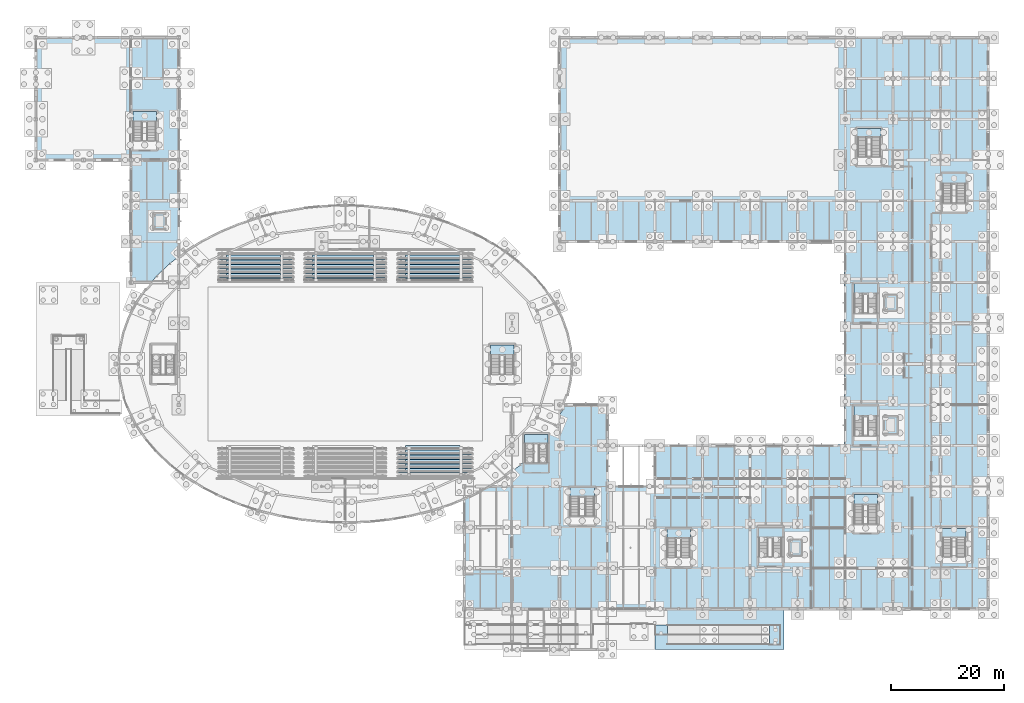
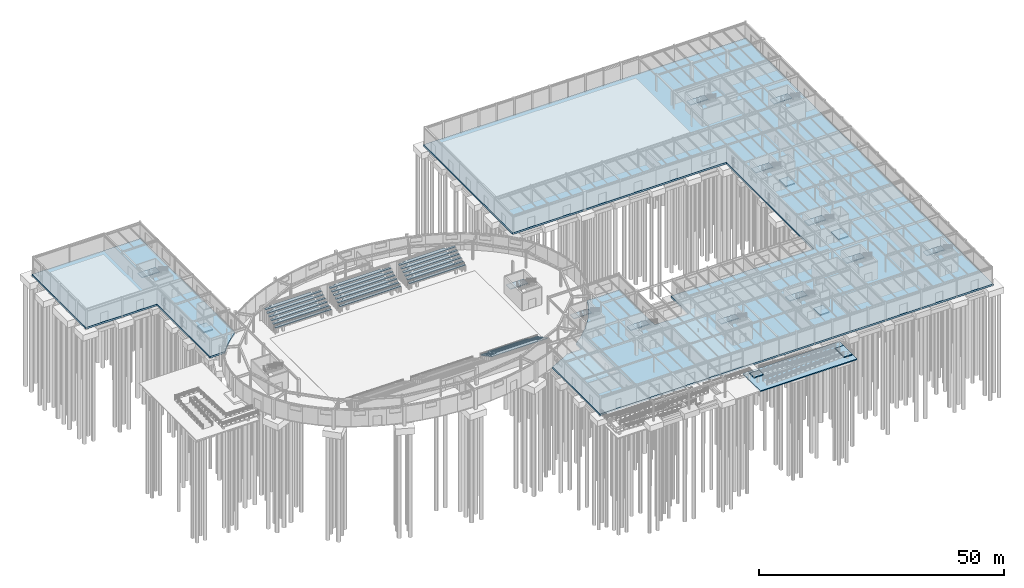
# One storey, part 49 of 93: 45 slabs, 13 elements without a shape of their own.
"""IFC4 building model written with IfcOpenShell, lengths in metres."""

from ifc_helpers import new_model, si_unit, derived_unit, direction, frame, origin, place, context, subcontext, project, spatial, polyline, outline, extrude, material, layer, layer_set, type_object, element, aggregate, save


model = new_model("IFC4")

# Units and contexts
model_context = context("Model", 3, precision=1e-05, world=origin(), true_north=direction((0.0, 1.0)))
body_context = subcontext(model_context, "Body", "Model", "MODEL_VIEW")
ifc_project = project(units=[si_unit("LENGTHUNIT", "METRE"), si_unit("AREAUNIT", "SQUARE_METRE"), si_unit("VOLUMEUNIT", "CUBIC_METRE"), si_unit("PLANEANGLEUNIT", "RADIAN"), si_unit("MASSUNIT", "GRAM", prefix="KILO"), derived_unit("THERMALTRANSMITTANCEUNIT", [(si_unit("MASSUNIT", "GRAM", prefix="KILO"), 1), (si_unit("TIMEUNIT", "SECOND"), -3), (si_unit("THERMODYNAMICTEMPERATUREUNIT", "KELVIN"), -1)])], contexts=[model_context])

# Site, building, storey
site_placement = place(None, origin())
site = spatial("IfcSite", under=ifc_project, at=site_placement, CompositionType="ELEMENT")
building_placement = place(site_placement, origin())
building = spatial("IfcBuilding", under=site, at=building_placement, Name="Kharveza Railside Sports Centre", CompositionType="ELEMENT")
storey_placement = place(building_placement, origin())
storey = spatial("IfcBuildingStorey", under=building, at=storey_placement, Name="L00", CompositionType="ELEMENT", Elevation=0.0)

# Slabs
ifc_material_1 = material(Name="Concrete C35/45", Category="concrete")
ifc_layer_1 = layer(ifc_material_1, 0.260009765625, Name="Concrete C35/45")
ifc_layer_set_1 = layer_set([ifc_layer_1], Name="Concrete C35/45")
slab_type_1 = type_object("IfcSlabType", Name="SL-BS260", PredefinedType="BASESLAB", material=ifc_layer_set_1)
slab_1_placement = place(storey_placement, frame((0.0, 0.0, -2.06005859375)))
element("IfcSlab", 1, at=slab_1_placement, inside=storey, type_object=slab_type_1, Name="SLB-L00-APRONE", PredefinedType="BASESLAB", context=body_context, shape_type="SweptSolid", body=[
    extrude(outline(polyline([(109.199951171875, 0.0), (132.0, 0.0), (132.0, 7.199951171875), (109.199951171875, 7.199951171875), (109.199951171875, 0.0)])), origin(), (0.0, 0.0, 1.0), 0.260009765625),
])
ifc_layer_2 = layer(ifc_material_1, 0.419921875, Name="Concrete C35/45")
ifc_layer_set_2 = layer_set([ifc_layer_2], Name="Concrete C35/45")
slab_type_2 = type_object("IfcSlabType", Name="SL-BS300", PredefinedType="BASESLAB", material=ifc_layer_set_2)
slab_2_placement = place(storey_placement, frame((0.0, 0.0, -0.419921875)))
element("IfcSlab", 2, at=slab_2_placement, inside=storey, type_object=slab_type_2, Name="SLB-L00-WING-01", PredefinedType="BASESLAB", context=body_context, shape_type="SweptSolid", body=[
    extrude(outline(polyline([(83.800048828125, 29.0), (83.800048828125, 31.3056640625), (85.521728515625, 32.635498046875), (85.521728515625, 32.635498046875), (87.860107421875, 34.842529296875), (87.8603515625, 34.8427734375), (89.87841796875, 37.19970703125), (89.87841796875, 37.19970703125), (91.556884765625, 39.683837890625), (91.556884765625, 39.683837890625), (92.87939453125, 42.271240234375), (92.87939453125, 42.271240234375), (93.283447265625, 43.39990234375), (101.0, 43.39990234375), (101.0, 29.0), (109.0, 29.0), (109.0, 36.199951171875), (142.60009765625, 36.199951171875), (142.60009765625, 71.800048828125), (92.199951171875, 71.800048828125), (92.199951171875, 108.199951171875), (168.199951171875, 108.199951171875), (168.199951171875, 7.0), (75.39990234375, 7.0), (75.39990234375, 26.519775390625), (76.823486328125, 27.116943359375), (76.82373046875, 27.1171875), (79.9765625, 28.75390625), (79.976806640625, 28.75390625), (80.364501953125, 29.0), (83.800048828125, 29.0)])), origin(), (0.0, 0.0, 1.0), 0.419921875),
])
slab_3_placement = place(storey_placement, frame((0.0, 0.0, -0.419921875)))
element("IfcSlab", 3, at=slab_3_placement, inside=storey, type_object=slab_type_2, Name="SLB-L00-WING-02", PredefinedType="BASESLAB", context=body_context, shape_type="SweptSolid", body=[
    extrude(outline(polyline([(16.60009765625, 86.199951171875), (-0.199951171875, 86.199951171875), (-0.199951171875, 108.199951171875), (25.39990234375, 108.199951171875), (25.39990234375, 69.494384765625), (23.678466796875, 68.16455078125), (23.67822265625, 68.16455078125), (21.33984375, 65.95751953125), (21.339599609375, 65.957275390625), (20.177490234375, 64.60009765625), (16.60009765625, 64.60009765625), (16.60009765625, 86.199951171875)])), origin(), (0.0, 0.0, 1.0), 0.419921875),
])

# Stair, slab
stair_type_1 = type_object("IfcStairType", Name="ST-A45", PredefinedType="TWO_STRAIGHT_RUN_STAIR", material=ifc_material_1)
stair_1_placement = place(storey_placement, origin())
stair_1 = element("IfcStair", 4, at=stair_1_placement, inside=storey, type_object=stair_type_1, Name="STR-ST1-L00", PredefinedType="TWO_STRAIGHT_RUN_STAIR")
ifc_layer_3 = layer(ifc_material_1, 0.18505859375, Name="Concrete C35/45")
ifc_layer_set_3 = layer_set([ifc_layer_3], Name="Concrete C35/45")
slab_type_3 = type_object("IfcSlabType", Name="SL-LD185", PredefinedType="LANDING", material=ifc_layer_set_3)
slab_4_placement = place(storey_placement, frame((0.0, 0.0, 2.06494140625)))
slab_4 = element("IfcSlab", 5, at=slab_4_placement, type_object=slab_type_3, Name="STR-ST1-L00-HLND", PredefinedType="LANDING", context=body_context, shape_type="SweptSolid", body=[
    extrude(outline(polyline([(144.304931640625, 41.159912109375), (148.4951171875, 41.159912109375), (148.4951171875, 42.9951171875), (144.304931640625, 42.9951171875), (144.304931640625, 41.159912109375)])), origin(), (0.0, 0.0, 1.0), 0.18505859375),
])
aggregate(stair_1, [slab_4])

stair_2_placement = place(storey_placement, origin())
stair_2 = element("IfcStair", 6, at=stair_2_placement, inside=storey, type_object=stair_type_1, Name="STR-ST2-L00", PredefinedType="TWO_STRAIGHT_RUN_STAIR")
slab_5_placement = place(storey_placement, frame((0.0, 0.0, 2.06494140625)))
slab_5 = element("IfcSlab", 7, at=slab_5_placement, type_object=slab_type_3, Name="STR-ST2-L00-HLND", PredefinedType="LANDING", context=body_context, shape_type="SweptSolid", body=[
    extrude(outline(polyline([(144.304931640625, 62.760009765625), (148.4951171875, 62.760009765625), (148.4951171875, 64.594970703125), (144.304931640625, 64.594970703125), (144.304931640625, 62.760009765625)])), origin(), (0.0, 0.0, 1.0), 0.18505859375),
])
aggregate(stair_2, [slab_5])

stair_3_placement = place(storey_placement, origin())
stair_3 = element("IfcStair", 8, at=stair_3_placement, inside=storey, type_object=stair_type_1, Name="STR-ST3-L00", PredefinedType="TWO_STRAIGHT_RUN_STAIR")
slab_6_placement = place(storey_placement, frame((0.0, 0.0, 2.06494140625)))
slab_6 = element("IfcSlab", 9, at=slab_6_placement, type_object=slab_type_3, Name="STR-ST3-L00-HLND", PredefinedType="LANDING", context=body_context, shape_type="SweptSolid", body=[
    extrude(outline(polyline([(127.5048828125, 19.760009765625), (131.695068359375, 19.760009765625), (131.695068359375, 21.594970703125), (127.5048828125, 21.594970703125), (127.5048828125, 19.760009765625)])), origin(), (0.0, 0.0, 1.0), 0.18505859375),
])
aggregate(stair_3, [slab_6])

stair_4_placement = place(storey_placement, origin())
stair_4 = element("IfcStair", 10, at=stair_4_placement, inside=storey, type_object=stair_type_1, Name="STR-ST4-L00", PredefinedType="TWO_STRAIGHT_RUN_STAIR")
slab_7_placement = place(storey_placement, frame((0.0, 0.0, 2.06494140625)))
slab_7 = element("IfcSlab", 11, at=slab_7_placement, type_object=slab_type_3, Name="STR-ST4-L00-HLND", PredefinedType="LANDING", context=body_context, shape_type="SweptSolid", body=[
    extrude(outline(polyline([(159.905029296875, 82.159912109375), (164.094970703125, 82.159912109375), (164.094970703125, 83.9951171875), (159.905029296875, 83.9951171875), (159.905029296875, 82.159912109375)])), origin(), (0.0, 0.0, 1.0), 0.18505859375),
])
aggregate(stair_4, [slab_7])

stair_5_placement = place(storey_placement, origin())
stair_5 = element("IfcStair", 12, at=stair_5_placement, inside=storey, type_object=stair_type_1, Name="STR-ST5-L00", PredefinedType="TWO_STRAIGHT_RUN_STAIR")
slab_8_placement = place(storey_placement, frame((0.0, 0.0, 2.06494140625)))
slab_8 = element("IfcSlab", 13, at=slab_8_placement, type_object=slab_type_3, Name="STR-ST5-L00-HLND", PredefinedType="LANDING", context=body_context, shape_type="SweptSolid", body=[
    extrude(outline(polyline([(144.304931640625, 25.56005859375), (148.4951171875, 25.56005859375), (148.4951171875, 27.39501953125), (144.304931640625, 27.39501953125), (144.304931640625, 25.56005859375)])), origin(), (0.0, 0.0, 1.0), 0.18505859375),
])
aggregate(stair_5, [slab_8])

stair_6_placement = place(storey_placement, origin())
stair_6 = element("IfcStair", 14, at=stair_6_placement, inside=storey, type_object=stair_type_1, Name="STR-ST6-L00", PredefinedType="TWO_STRAIGHT_RUN_STAIR")
slab_9_placement = place(storey_placement, frame((0.0, 0.0, 2.06494140625)))
slab_9 = element("IfcSlab", 15, at=slab_9_placement, type_object=slab_type_3, Name="STR-ST6-L00-HLND", PredefinedType="LANDING", context=body_context, shape_type="SweptSolid", body=[
    extrude(outline(polyline([(17.10498046875, 93.159912109375), (21.294921875, 93.159912109375), (21.294921875, 94.9951171875), (17.10498046875, 94.9951171875), (17.10498046875, 93.159912109375)])), origin(), (0.0, 0.0, 1.0), 0.18505859375),
])
aggregate(stair_6, [slab_9])

stair_7_placement = place(storey_placement, origin())
stair_7 = element("IfcStair", 16, at=stair_7_placement, inside=storey, type_object=stair_type_1, Name="STR-ST8-L00", PredefinedType="TWO_STRAIGHT_RUN_STAIR")
slab_10_placement = place(storey_placement, frame((0.0, 0.0, 2.06494140625)))
slab_10 = element("IfcSlab", 17, at=slab_10_placement, type_object=slab_type_3, Name="STR-ST8-L00-HLND", PredefinedType="LANDING", context=body_context, shape_type="SweptSolid", body=[
    extrude(outline(polyline([(80.205078125, 51.9599609375), (84.39501953125, 51.9599609375), (84.39501953125, 53.794921875), (80.205078125, 53.794921875), (80.205078125, 51.9599609375)])), origin(), (0.0, 0.0, 1.0), 0.18505859375),
])
aggregate(stair_7, [slab_10])

stair_8_placement = place(storey_placement, origin())
stair_8 = element("IfcStair", 18, at=stair_8_placement, inside=storey, type_object=stair_type_1, Name="STR-ST9-L00", PredefinedType="TWO_STRAIGHT_RUN_STAIR")
slab_11_placement = place(storey_placement, frame((0.0, 0.0, 2.06494140625)))
slab_11 = element("IfcSlab", 19, at=slab_11_placement, type_object=slab_type_3, Name="STR-ST9-L00-HLND", PredefinedType="LANDING", context=body_context, shape_type="SweptSolid", body=[
    extrude(outline(polyline([(86.205078125, 36.360107421875), (90.39501953125, 36.360107421875), (90.39501953125, 37.9951171875), (86.205078125, 37.9951171875), (86.205078125, 36.360107421875)])), origin(), (0.0, 0.0, 1.0), 0.18505859375),
])
aggregate(stair_8, [slab_11])

ifc_material_2 = material(Name="Steel S355J2", Category="steel")
stair_type_2 = type_object("IfcStairType", Name="ST-C45", PredefinedType="TWO_STRAIGHT_RUN_STAIR", material=ifc_material_2)
stair_9_placement = place(storey_placement, origin())
stair_9 = element("IfcStair", 20, at=stair_9_placement, inside=storey, type_object=stair_type_2, Name="STR-ST10-L00", PredefinedType="TWO_STRAIGHT_RUN_STAIR")
slab_12_placement = place(storey_placement, frame((0.0, 0.0, 2.06494140625)))
slab_12 = element("IfcSlab", 21, at=slab_12_placement, type_object=slab_type_3, Name="STR-ST10-L00-HLND", PredefinedType="LANDING", context=body_context, shape_type="SweptSolid", body=[
    extrude(outline(polyline([(94.205078125, 26.9599609375), (98.594970703125, 26.9599609375), (98.594970703125, 28.594970703125), (94.205078125, 28.594970703125), (94.205078125, 26.9599609375)])), origin(), (0.0, 0.0, 1.0), 0.18505859375),
])
aggregate(stair_9, [slab_12])

stair_10_placement = place(storey_placement, origin())
stair_10 = element("IfcStair", 22, at=stair_10_placement, inside=storey, type_object=stair_type_1, Name="STR-ST11-L00", PredefinedType="TWO_STRAIGHT_RUN_STAIR")
slab_13_placement = place(storey_placement, frame((0.0, 0.0, 2.06494140625)))
slab_13 = element("IfcSlab", 23, at=slab_13_placement, type_object=slab_type_3, Name="STR-ST11-L00-HLND", PredefinedType="LANDING", context=body_context, shape_type="SweptSolid", body=[
    extrude(outline(polyline([(159.905029296875, 19.760009765625), (164.094970703125, 19.760009765625), (164.094970703125, 21.39501953125), (159.905029296875, 21.39501953125), (159.905029296875, 19.760009765625)])), origin(), (0.0, 0.0, 1.0), 0.18505859375),
])
aggregate(stair_10, [slab_13])

stair_11_placement = place(storey_placement, origin())
stair_11 = element("IfcStair", 24, at=stair_11_placement, inside=storey, type_object=stair_type_1, Name="STR-ST12-L00", PredefinedType="TWO_STRAIGHT_RUN_STAIR")
slab_14_placement = place(storey_placement, frame((0.0, 0.0, 2.06494140625)))
slab_14 = element("IfcSlab", 25, at=slab_14_placement, type_object=slab_type_3, Name="STR-ST12-L00-HLND", PredefinedType="LANDING", context=body_context, shape_type="SweptSolid", body=[
    extrude(outline(polyline([(111.304931640625, 19.659912109375), (115.4951171875, 19.659912109375), (115.4951171875, 21.294921875), (111.304931640625, 21.294921875), (111.304931640625, 19.659912109375)])), origin(), (0.0, 0.0, 1.0), 0.18505859375),
])
aggregate(stair_11, [slab_14])

stair_12_placement = place(storey_placement, origin())
stair_12 = element("IfcStair", 26, at=stair_12_placement, inside=storey, type_object=stair_type_1, Name="STR-ST13-L00", PredefinedType="TWO_STRAIGHT_RUN_STAIR")
slab_15_placement = place(storey_placement, frame((0.0, 0.0, 2.06494140625)))
slab_15 = element("IfcSlab", 27, at=slab_15_placement, type_object=slab_type_3, Name="STR-ST13-L00-HLND", PredefinedType="LANDING", context=body_context, shape_type="SweptSolid", body=[
    extrude(outline(polyline([(144.905029296875, 90.360107421875), (149.094970703125, 90.360107421875), (149.094970703125, 91.9951171875), (144.905029296875, 91.9951171875), (144.905029296875, 90.360107421875)])), origin(), (0.0, 0.0, 1.0), 0.18505859375),
])
aggregate(stair_12, [slab_15])

# Ramp, slabs
ramp_type = type_object("IfcRampType", Name="RM-AP01", PredefinedType="TWO_STRAIGHT_RUN_RAMP", material=ifc_material_1)
ramp_placement = place(storey_placement, origin())
ramp = element("IfcRamp", 28, at=ramp_placement, inside=storey, type_object=ramp_type, Name="RMP-EXT-E", PredefinedType="TWO_STRAIGHT_RUN_RAMP")
ifc_layer_4 = layer(ifc_material_1, 0.2099609375, Name="Concrete C35/45")
ifc_layer_set_4 = layer_set([ifc_layer_4], Name="Concrete C35/45")
slab_type_4 = type_object("IfcSlabType", Name="SL-LD210", PredefinedType="LANDING", material=ifc_layer_set_4)
slab_16_placement = place(storey_placement, frame((0.0, 0.0, -1.110107421875)))
slab_16 = element("IfcSlab", 29, at=slab_16_placement, type_object=slab_type_4, Name="RMP-EXT-E-LND1", PredefinedType="LANDING", context=body_context, shape_type="SweptSolid", body=[
    extrude(outline(polyline([(129.39990234375, 0.800048828125), (131.39990234375, 0.800048828125), (131.39990234375, 4.39990234375), (129.39990234375, 4.39990234375), (129.39990234375, 0.800048828125)])), origin(), (0.0, 0.0, 1.0), 0.210205078125),
])
slab_17_placement = place(storey_placement, frame((0.0, 0.0, -0.2099609375)))
slab_17 = element("IfcSlab", 30, at=slab_17_placement, type_object=slab_type_4, Name="RMP-EXT-E-LND2", PredefinedType="LANDING", context=body_context, shape_type="SweptSolid", body=[
    extrude(outline(polyline([(109.199951171875, 2.580078125), (111.39990234375, 2.580078125), (111.39990234375, 4.39990234375), (109.199951171875, 4.39990234375), (109.199951171875, 2.580078125)])), origin(), (0.0, 0.0, 1.0), 0.2099609375),
])
aggregate(ramp, [slab_16, slab_17])

# Slabs
ifc_layer_5 = layer(ifc_material_1, 0.300048828125, Name="Concrete C35/45")
ifc_layer_set_5 = layer_set([ifc_layer_5], Name="Concrete C35/45")
slab_type_5 = type_object("IfcSlabType", Name="SL-LP300", PredefinedType="BASESLAB", material=ifc_layer_set_5)
slab_18_placement = place(storey_placement, frame((0.0, 0.0, -1.5)))
element("IfcSlab", 31, at=slab_18_placement, inside=storey, type_object=slab_type_5, Name="SLB-LFPIT-LF1", PredefinedType="BASESLAB", context=body_context, shape_type="SweptSolid", body=[
    extrude(outline(polyline([(149.625, 38.02490234375), (151.97509765625, 38.02490234375), (151.97509765625, 41.175048828125), (149.625, 41.175048828125), (149.625, 38.02490234375)])), origin(), (0.0, 0.0, 1.0), 0.300048828125),
])
slab_19_placement = place(storey_placement, frame((0.0, 0.0, -1.5)))
element("IfcSlab", 32, at=slab_19_placement, inside=storey, type_object=slab_type_5, Name="SLB-LFPIT-LF2", PredefinedType="BASESLAB", context=body_context, shape_type="SweptSolid", body=[
    extrude(outline(polyline([(149.72509765625, 59.824951171875), (151.875, 59.824951171875), (151.875, 62.574951171875), (149.72509765625, 62.574951171875), (149.72509765625, 59.824951171875)])), origin(), (0.0, 0.0, 1.0), 0.300048828125),
])
slab_20_placement = place(storey_placement, frame((0.0, 0.0, -1.5)))
element("IfcSlab", 33, at=slab_20_placement, inside=storey, type_object=slab_type_5, Name="SLB-LFPIT-LF3", PredefinedType="BASESLAB", context=body_context, shape_type="SweptSolid", body=[
    extrude(outline(polyline([(132.925048828125, 16.625), (135.074951171875, 16.625), (135.074951171875, 19.375), (132.925048828125, 19.375), (132.925048828125, 16.625)])), origin(), (0.0, 0.0, 1.0), 0.300048828125),
])
slab_21_placement = place(storey_placement, frame((0.0, 0.0, -1.5)))
element("IfcSlab", 34, at=slab_21_placement, inside=storey, type_object=slab_type_5, Name="SLB-LFPIT-LF4", PredefinedType="BASESLAB", context=body_context, shape_type="SweptSolid", body=[
    extrude(outline(polyline([(20.72509765625, 74.22509765625), (22.875, 74.22509765625), (22.875, 76.97509765625), (20.72509765625, 76.97509765625), (20.72509765625, 74.22509765625)])), origin(), (0.0, 0.0, 1.0), 0.300048828125),
])
ifc_material_3 = material(Name="Precast concrete C40/50", Category="concrete")
ifc_layer_6 = layer(ifc_material_3, 0.14990234375, Name="Precast concrete C40/50")
ifc_layer_set_6 = layer_set([ifc_layer_6], Name="Precast concrete C40/50")
slab_type_6 = type_object("IfcSlabType", Name="SL-ST150", PredefinedType="USERDEFINED", material=ifc_layer_set_6)
slab_22_placement = place(storey_placement, frame((0.0, 0.0, 3.570068359375)))
element("IfcSlab", 35, at=slab_22_placement, inside=storey, type_object=slab_type_6, Name="Spectator Seating Tier S2-S3", ObjectType="SEATING_TIER", PredefinedType="USERDEFINED", context=body_context, shape_type="SweptSolid", body=[
    extrude(outline(polyline([(63.800048828125, 31.199951171875), (77.0, 31.199951171875), (77.0, 31.659912109375), (74.800048828125, 31.659912109375), (74.800048828125, 32.0), (65.199951171875, 32.0), (65.199951171875, 31.719970703125), (63.800048828125, 31.719970703125), (63.800048828125, 31.199951171875)])), origin(), (0.0, 0.0, 1.0), 0.14990234375),
])
slab_23_placement = place(storey_placement, frame((0.0, 0.0, 3.14990234375)))
element("IfcSlab", 36, at=slab_23_placement, inside=storey, type_object=slab_type_6, Name="Spectator Seating Tier S3-S3", ObjectType="SEATING_TIER", PredefinedType="USERDEFINED", context=body_context, shape_type="SweptSolid", body=[
    extrude(outline(polyline([(63.800048828125, 32.0), (77.0, 32.0), (77.0, 32.4599609375), (74.800048828125, 32.4599609375), (74.800048828125, 32.800048828125), (65.199951171875, 32.800048828125), (65.199951171875, 32.52001953125), (63.800048828125, 32.52001953125), (63.800048828125, 32.0)])), origin(), (0.0, 0.0, 1.0), 0.150146484375),
])
slab_24_placement = place(storey_placement, frame((0.0, 0.0, 2.72998046875)))
element("IfcSlab", 37, at=slab_24_placement, inside=storey, type_object=slab_type_6, Name="Spectator Seating Tier S4-S3", ObjectType="SEATING_TIER", PredefinedType="USERDEFINED", context=body_context, shape_type="SweptSolid", body=[
    extrude(outline(polyline([(63.800048828125, 32.800048828125), (77.0, 32.800048828125), (77.0, 33.260009765625), (74.800048828125, 33.260009765625), (74.800048828125, 33.60009765625), (65.199951171875, 33.60009765625), (65.199951171875, 33.320068359375), (63.800048828125, 33.320068359375), (63.800048828125, 32.800048828125)])), origin(), (0.0, 0.0, 1.0), 0.14990234375),
])
slab_25_placement = place(storey_placement, frame((0.0, 0.0, 3.570068359375)))
element("IfcSlab", 38, at=slab_25_placement, inside=storey, type_object=slab_type_6, Name="Spectator Seating Tier N2-S1", ObjectType="SEATING_TIER", PredefinedType="USERDEFINED", context=body_context, shape_type="SweptSolid", body=[
    extrude(outline(polyline([(32.199951171875, 68.800048828125), (45.39990234375, 68.800048828125), (45.39990234375, 69.260009765625), (43.199951171875, 69.260009765625), (43.199951171875, 69.60009765625), (33.60009765625, 69.60009765625), (33.60009765625, 69.320068359375), (32.199951171875, 69.320068359375), (32.199951171875, 68.800048828125)])), origin(), (0.0, 0.0, 1.0), 0.14990234375),
])
slab_26_placement = place(storey_placement, frame((0.0, 0.0, 3.570068359375)))
element("IfcSlab", 39, at=slab_26_placement, inside=storey, type_object=slab_type_6, Name="Spectator Seating Tier N2-S2", ObjectType="SEATING_TIER", PredefinedType="USERDEFINED", context=body_context, shape_type="SweptSolid", body=[
    extrude(outline(polyline([(47.39990234375, 68.800048828125), (61.800048828125, 68.800048828125), (61.800048828125, 69.260009765625), (59.60009765625, 69.260009765625), (59.60009765625, 69.60009765625), (48.800048828125, 69.60009765625), (48.800048828125, 69.320068359375), (47.39990234375, 69.320068359375), (47.39990234375, 68.800048828125)])), origin(), (0.0, 0.0, 1.0), 0.14990234375),
])
slab_27_placement = place(storey_placement, frame((0.0, 0.0, 3.570068359375)))
element("IfcSlab", 40, at=slab_27_placement, inside=storey, type_object=slab_type_6, Name="Spectator Seating Tier N2-S3", ObjectType="SEATING_TIER", PredefinedType="USERDEFINED", context=body_context, shape_type="SweptSolid", body=[
    extrude(outline(polyline([(63.800048828125, 68.800048828125), (77.0, 68.800048828125), (77.0, 69.260009765625), (74.800048828125, 69.260009765625), (74.800048828125, 69.60009765625), (65.199951171875, 69.60009765625), (65.199951171875, 69.320068359375), (63.800048828125, 69.320068359375), (63.800048828125, 68.800048828125)])), origin(), (0.0, 0.0, 1.0), 0.14990234375),
])
slab_28_placement = place(storey_placement, frame((0.0, 0.0, 3.14990234375)))
element("IfcSlab", 41, at=slab_28_placement, inside=storey, type_object=slab_type_6, Name="Spectator Seating Tier N3-S1", ObjectType="SEATING_TIER", PredefinedType="USERDEFINED", context=body_context, shape_type="SweptSolid", body=[
    extrude(outline(polyline([(32.199951171875, 68.0), (45.39990234375, 68.0), (45.39990234375, 68.4599609375), (43.199951171875, 68.4599609375), (43.199951171875, 68.800048828125), (33.60009765625, 68.800048828125), (33.60009765625, 68.52001953125), (32.199951171875, 68.52001953125), (32.199951171875, 68.0)])), origin(), (0.0, 0.0, 1.0), 0.150146484375),
])
slab_29_placement = place(storey_placement, frame((0.0, 0.0, 3.14990234375)))
element("IfcSlab", 42, at=slab_29_placement, inside=storey, type_object=slab_type_6, Name="Spectator Seating Tier N3-S2", ObjectType="SEATING_TIER", PredefinedType="USERDEFINED", context=body_context, shape_type="SweptSolid", body=[
    extrude(outline(polyline([(47.39990234375, 68.0), (61.800048828125, 68.0), (61.800048828125, 68.4599609375), (59.60009765625, 68.4599609375), (59.60009765625, 68.800048828125), (48.800048828125, 68.800048828125), (48.800048828125, 68.52001953125), (47.39990234375, 68.52001953125), (47.39990234375, 68.0)])), origin(), (0.0, 0.0, 1.0), 0.150146484375),
])
slab_30_placement = place(storey_placement, frame((0.0, 0.0, 3.14990234375)))
element("IfcSlab", 43, at=slab_30_placement, inside=storey, type_object=slab_type_6, Name="Spectator Seating Tier N3-S3", ObjectType="SEATING_TIER", PredefinedType="USERDEFINED", context=body_context, shape_type="SweptSolid", body=[
    extrude(outline(polyline([(63.800048828125, 68.0), (77.0, 68.0), (77.0, 68.4599609375), (74.800048828125, 68.4599609375), (74.800048828125, 68.800048828125), (65.199951171875, 68.800048828125), (65.199951171875, 68.52001953125), (63.800048828125, 68.52001953125), (63.800048828125, 68.0)])), origin(), (0.0, 0.0, 1.0), 0.150146484375),
])
slab_31_placement = place(storey_placement, frame((0.0, 0.0, 2.72998046875)))
element("IfcSlab", 44, at=slab_31_placement, inside=storey, type_object=slab_type_6, Name="Spectator Seating Tier N4-S1", ObjectType="SEATING_TIER", PredefinedType="USERDEFINED", context=body_context, shape_type="SweptSolid", body=[
    extrude(outline(polyline([(32.199951171875, 67.199951171875), (45.39990234375, 67.199951171875), (45.39990234375, 67.659912109375), (43.199951171875, 67.659912109375), (43.199951171875, 68.0), (33.60009765625, 68.0), (33.60009765625, 67.719970703125), (32.199951171875, 67.719970703125), (32.199951171875, 67.199951171875)])), origin(), (0.0, 0.0, 1.0), 0.14990234375),
])
slab_32_placement = place(storey_placement, frame((0.0, 0.0, 2.72998046875)))
element("IfcSlab", 45, at=slab_32_placement, inside=storey, type_object=slab_type_6, Name="Spectator Seating Tier N4-S2", ObjectType="SEATING_TIER", PredefinedType="USERDEFINED", context=body_context, shape_type="SweptSolid", body=[
    extrude(outline(polyline([(47.39990234375, 67.199951171875), (61.800048828125, 67.199951171875), (61.800048828125, 67.659912109375), (59.60009765625, 67.659912109375), (59.60009765625, 68.0), (48.800048828125, 68.0), (48.800048828125, 67.719970703125), (47.39990234375, 67.719970703125), (47.39990234375, 67.199951171875)])), origin(), (0.0, 0.0, 1.0), 0.14990234375),
])
slab_33_placement = place(storey_placement, frame((0.0, 0.0, 2.72998046875)))
element("IfcSlab", 46, at=slab_33_placement, inside=storey, type_object=slab_type_6, Name="Spectator Seating Tier N4-S3", ObjectType="SEATING_TIER", PredefinedType="USERDEFINED", context=body_context, shape_type="SweptSolid", body=[
    extrude(outline(polyline([(63.800048828125, 67.199951171875), (77.0, 67.199951171875), (77.0, 67.659912109375), (74.800048828125, 67.659912109375), (74.800048828125, 68.0), (65.199951171875, 68.0), (65.199951171875, 67.719970703125), (63.800048828125, 67.719970703125), (63.800048828125, 67.199951171875)])), origin(), (0.0, 0.0, 1.0), 0.14990234375),
])
ifc_layer_7 = layer(ifc_material_3, 0.16796875, Name="Precast concrete C40/50")
ifc_layer_set_7 = layer_set([ifc_layer_7], Name="Precast concrete C40/50")
slab_type_7 = type_object("IfcSlabType", Name="SL-ST175", PredefinedType="USERDEFINED", material=ifc_layer_set_7)
slab_34_placement = place(storey_placement, frame((0.0, 0.0, 2.2919921875)))
element("IfcSlab", 47, at=slab_34_placement, inside=storey, type_object=slab_type_7, Name="Spectator Seating Tier S5-S3", ObjectType="SEATING_TIER", PredefinedType="USERDEFINED", context=body_context, shape_type="SweptSolid", body=[
    extrude(outline(polyline([(63.800048828125, 33.60009765625), (77.0, 33.60009765625), (77.0, 34.06005859375), (74.800048828125, 34.06005859375), (74.800048828125, 34.39990234375), (65.199951171875, 34.39990234375), (65.199951171875, 34.1201171875), (63.800048828125, 34.1201171875), (63.800048828125, 33.60009765625)])), origin(), (0.0, 0.0, 1.0), 0.16796875),
])
slab_35_placement = place(storey_placement, frame((0.0, 0.0, 1.8720703125)))
element("IfcSlab", 48, at=slab_35_placement, inside=storey, type_object=slab_type_7, Name="Spectator Seating Tier S6-S3", ObjectType="SEATING_TIER", PredefinedType="USERDEFINED", context=body_context, shape_type="SweptSolid", body=[
    extrude(outline(polyline([(63.800048828125, 34.39990234375), (77.0, 34.39990234375), (77.0, 34.860107421875), (74.800048828125, 34.860107421875), (74.800048828125, 35.199951171875), (65.199951171875, 35.199951171875), (65.199951171875, 34.919921875), (63.800048828125, 34.919921875), (63.800048828125, 34.39990234375)])), origin(), (0.0, 0.0, 1.0), 0.16796875),
])
slab_36_placement = place(storey_placement, frame((0.0, 0.0, 1.451904296875)))
element("IfcSlab", 49, at=slab_36_placement, inside=storey, type_object=slab_type_7, Name="Spectator Seating Tier S7-S3", ObjectType="SEATING_TIER", PredefinedType="USERDEFINED", context=body_context, shape_type="SweptSolid", body=[
    extrude(outline(polyline([(63.800048828125, 35.199951171875), (77.0, 35.199951171875), (77.0, 35.659912109375), (74.800048828125, 35.659912109375), (74.800048828125, 36.0), (65.199951171875, 36.0), (65.199951171875, 35.719970703125), (63.800048828125, 35.719970703125), (63.800048828125, 35.199951171875)])), origin(), (0.0, 0.0, 1.0), 0.168212890625),
])
slab_37_placement = place(storey_placement, frame((0.0, 0.0, 2.2919921875)))
element("IfcSlab", 50, at=slab_37_placement, inside=storey, type_object=slab_type_7, Name="Spectator Seating Tier N5-S1", ObjectType="SEATING_TIER", PredefinedType="USERDEFINED", context=body_context, shape_type="SweptSolid", body=[
    extrude(outline(polyline([(32.199951171875, 66.39990234375), (45.39990234375, 66.39990234375), (45.39990234375, 66.860107421875), (43.199951171875, 66.860107421875), (43.199951171875, 67.199951171875), (33.60009765625, 67.199951171875), (33.60009765625, 66.919921875), (32.199951171875, 66.919921875), (32.199951171875, 66.39990234375)])), origin(), (0.0, 0.0, 1.0), 0.16796875),
])
slab_38_placement = place(storey_placement, frame((0.0, 0.0, 2.2919921875)))
element("IfcSlab", 51, at=slab_38_placement, inside=storey, type_object=slab_type_7, Name="Spectator Seating Tier N5-S2", ObjectType="SEATING_TIER", PredefinedType="USERDEFINED", context=body_context, shape_type="SweptSolid", body=[
    extrude(outline(polyline([(47.39990234375, 66.39990234375), (61.800048828125, 66.39990234375), (61.800048828125, 66.860107421875), (59.60009765625, 66.860107421875), (59.60009765625, 67.199951171875), (48.800048828125, 67.199951171875), (48.800048828125, 66.919921875), (47.39990234375, 66.919921875), (47.39990234375, 66.39990234375)])), origin(), (0.0, 0.0, 1.0), 0.16796875),
])
slab_39_placement = place(storey_placement, frame((0.0, 0.0, 2.2919921875)))
element("IfcSlab", 52, at=slab_39_placement, inside=storey, type_object=slab_type_7, Name="Spectator Seating Tier N5-S3", ObjectType="SEATING_TIER", PredefinedType="USERDEFINED", context=body_context, shape_type="SweptSolid", body=[
    extrude(outline(polyline([(63.800048828125, 66.39990234375), (77.0, 66.39990234375), (77.0, 66.860107421875), (74.800048828125, 66.860107421875), (74.800048828125, 67.199951171875), (65.199951171875, 67.199951171875), (65.199951171875, 66.919921875), (63.800048828125, 66.919921875), (63.800048828125, 66.39990234375)])), origin(), (0.0, 0.0, 1.0), 0.16796875),
])
slab_40_placement = place(storey_placement, frame((0.0, 0.0, 1.8720703125)))
element("IfcSlab", 53, at=slab_40_placement, inside=storey, type_object=slab_type_7, Name="Spectator Seating Tier N6-S1", ObjectType="SEATING_TIER", PredefinedType="USERDEFINED", context=body_context, shape_type="SweptSolid", body=[
    extrude(outline(polyline([(32.199951171875, 65.60009765625), (45.39990234375, 65.60009765625), (45.39990234375, 66.06005859375), (43.199951171875, 66.06005859375), (43.199951171875, 66.39990234375), (33.60009765625, 66.39990234375), (33.60009765625, 66.1201171875), (32.199951171875, 66.1201171875), (32.199951171875, 65.60009765625)])), origin(), (0.0, 0.0, 1.0), 0.16796875),
])
slab_41_placement = place(storey_placement, frame((0.0, 0.0, 1.8720703125)))
element("IfcSlab", 54, at=slab_41_placement, inside=storey, type_object=slab_type_7, Name="Spectator Seating Tier N6-S2", ObjectType="SEATING_TIER", PredefinedType="USERDEFINED", context=body_context, shape_type="SweptSolid", body=[
    extrude(outline(polyline([(47.39990234375, 65.60009765625), (61.800048828125, 65.60009765625), (61.800048828125, 66.06005859375), (59.60009765625, 66.06005859375), (59.60009765625, 66.39990234375), (48.800048828125, 66.39990234375), (48.800048828125, 66.1201171875), (47.39990234375, 66.1201171875), (47.39990234375, 65.60009765625)])), origin(), (0.0, 0.0, 1.0), 0.16796875),
])
slab_42_placement = place(storey_placement, frame((0.0, 0.0, 1.8720703125)))
element("IfcSlab", 55, at=slab_42_placement, inside=storey, type_object=slab_type_7, Name="Spectator Seating Tier N6-S3", ObjectType="SEATING_TIER", PredefinedType="USERDEFINED", context=body_context, shape_type="SweptSolid", body=[
    extrude(outline(polyline([(63.800048828125, 65.60009765625), (77.0, 65.60009765625), (77.0, 66.06005859375), (74.800048828125, 66.06005859375), (74.800048828125, 66.39990234375), (65.199951171875, 66.39990234375), (65.199951171875, 66.1201171875), (63.800048828125, 66.1201171875), (63.800048828125, 65.60009765625)])), origin(), (0.0, 0.0, 1.0), 0.16796875),
])
slab_43_placement = place(storey_placement, frame((0.0, 0.0, 1.451904296875)))
element("IfcSlab", 56, at=slab_43_placement, inside=storey, type_object=slab_type_7, Name="Spectator Seating Tier N7-S1", ObjectType="SEATING_TIER", PredefinedType="USERDEFINED", context=body_context, shape_type="SweptSolid", body=[
    extrude(outline(polyline([(32.199951171875, 64.800048828125), (45.39990234375, 64.800048828125), (45.39990234375, 65.260009765625), (43.199951171875, 65.260009765625), (43.199951171875, 65.60009765625), (33.60009765625, 65.60009765625), (33.60009765625, 65.320068359375), (32.199951171875, 65.320068359375), (32.199951171875, 64.800048828125)])), origin(), (0.0, 0.0, 1.0), 0.168212890625),
])
slab_44_placement = place(storey_placement, frame((0.0, 0.0, 1.451904296875)))
element("IfcSlab", 57, at=slab_44_placement, inside=storey, type_object=slab_type_7, Name="Spectator Seating Tier N7-S2", ObjectType="SEATING_TIER", PredefinedType="USERDEFINED", context=body_context, shape_type="SweptSolid", body=[
    extrude(outline(polyline([(47.39990234375, 64.800048828125), (61.800048828125, 64.800048828125), (61.800048828125, 65.260009765625), (59.60009765625, 65.260009765625), (59.60009765625, 65.60009765625), (48.800048828125, 65.60009765625), (48.800048828125, 65.320068359375), (47.39990234375, 65.320068359375), (47.39990234375, 64.800048828125)])), origin(), (0.0, 0.0, 1.0), 0.168212890625),
])
slab_45_placement = place(storey_placement, frame((0.0, 0.0, 1.451904296875)))
element("IfcSlab", 58, at=slab_45_placement, inside=storey, type_object=slab_type_7, Name="Spectator Seating Tier N7-S3", ObjectType="SEATING_TIER", PredefinedType="USERDEFINED", context=body_context, shape_type="SweptSolid", body=[
    extrude(outline(polyline([(63.800048828125, 64.800048828125), (77.0, 64.800048828125), (77.0, 65.260009765625), (74.800048828125, 65.260009765625), (74.800048828125, 65.60009765625), (65.199951171875, 65.60009765625), (65.199951171875, 65.320068359375), (63.800048828125, 65.320068359375), (63.800048828125, 64.800048828125)])), origin(), (0.0, 0.0, 1.0), 0.168212890625),
])

save(model, "model.ifc")
